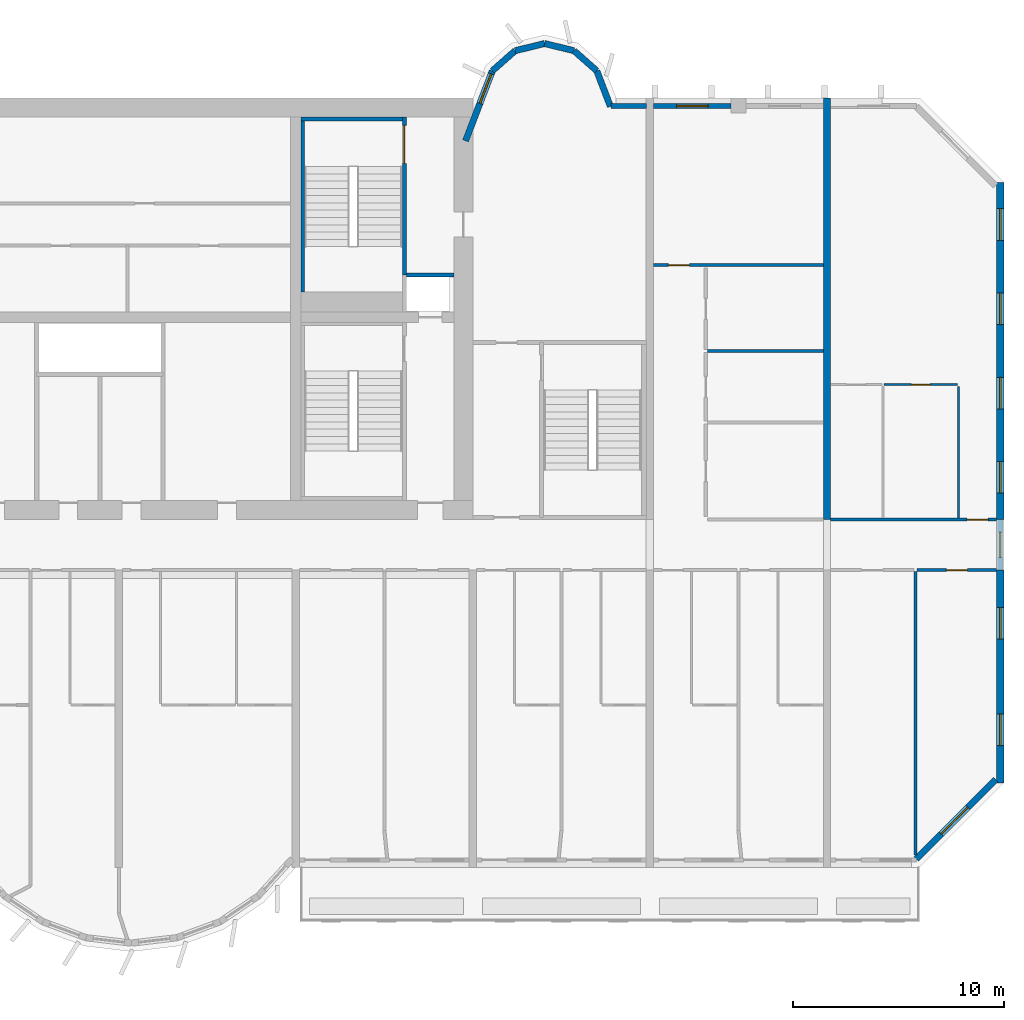
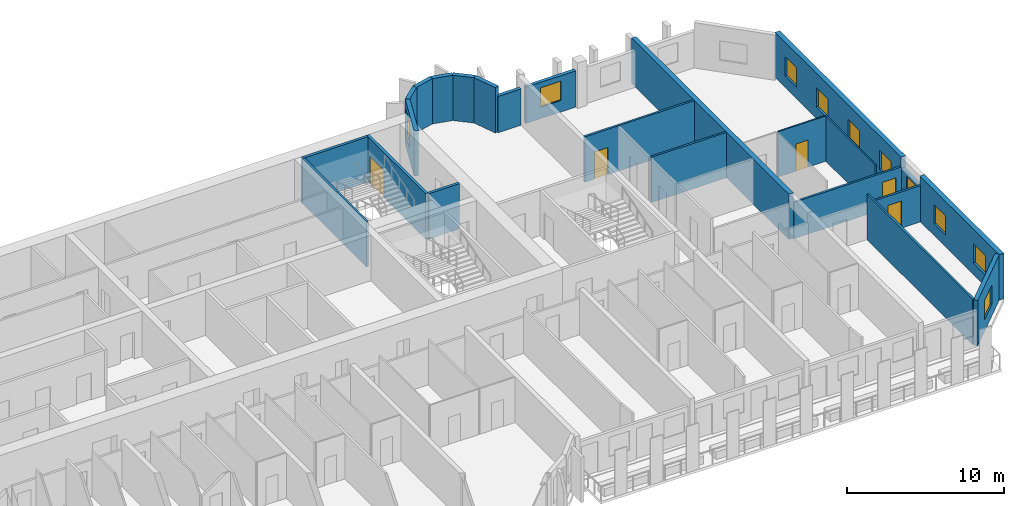
# One storey, part 10 of 14: 24 walls, 10 windows, 5 doors, 15 openings.
"""IFC4 building model written with IfcOpenShell, lengths in metres."""

from ifc_helpers import new_model, si_unit, direction, frame, frame_2d, origin, place, context, subcontext, project, spatial, rectangle, extrude, source, transform, mapped, material, layer, layer_set, type_object, element, fill, save


model = new_model("IFC4")

# Units and contexts
model_context = context("Model", 3, precision=1e-05, world=origin(), true_north=direction((0.0, 1.0)))
body_context = subcontext(model_context, "Body", "Model", "MODEL_VIEW")
ifc_project = project(units=[si_unit("LENGTHUNIT", "METRE"), si_unit("AREAUNIT", "SQUARE_METRE"), si_unit("VOLUMEUNIT", "CUBIC_METRE"), si_unit("PLANEANGLEUNIT", "RADIAN"), si_unit("MASSUNIT", "GRAM", prefix="KILO")], contexts=[model_context])

# Site, building, storey
site_placement = place(None, origin())
site = spatial("IfcSite", under=ifc_project, at=site_placement, CompositionType="ELEMENT")
building_placement = place(site_placement, origin())
building = spatial("IfcBuilding", under=site, at=building_placement, Name="Vanashikhar Sky Hotel", CompositionType="ELEMENT")
storey_placement = place(building_placement, frame((0.0, 0.0, 125.60009765625)))
storey = spatial("IfcBuildingStorey", under=building, at=storey_placement, Name="L30", CompositionType="ELEMENT", Elevation=125.60009765625)

# Wall, openings, windows
ifc_material_1 = material(Name="Concrete M70", Category="concrete")
ifc_layer_1 = layer(ifc_material_1, 0.35009765625)
ifc_layer_set_1 = layer_set([ifc_layer_1], Name="RC shear wall 350 Concrete M70")
wall_type_1 = type_object("IfcWallType", Name="RC shear wall 350 Concrete M70", PredefinedType="SHEAR", material=ifc_layer_set_1)
shared_shape_1 = source(origin(), body_context, "Body", "SweptSolid", [
    extrude(rectangle(XDim=10.10009765625, YDim=0.35009765625, at=frame_2d((5.050048828125, 0.0))), origin(), (0.0, 0.0, 1.0), 3.52001953125),
])
wall_1_placement = place(storey_placement, frame((100.625, 9.5, 0.0), z_axis=(0.0, 0.0, 1.0), x_axis=(0.0, 1.0, 0.0)))
wall_1 = element("IfcWall", 1, at=wall_1_placement, inside=storey, type_object=wall_type_1, Name="CW-L30-XW13-1", PredefinedType="SHEAR", context=body_context, shape_type="MappedRepresentation", body=[
    mapped(shared_shape_1, transform((0.0, 0.0, 0.0), scale=1.0)),
])
shared_shape_2 = source(origin(), body_context, "Body", "SweptSolid", [
    extrude(rectangle(XDim=1.5, YDim=1.5, at=frame_2d((0.75, 0.75))), frame((0.0, 0.18505859375, 0.0), z_axis=(0.0, -1.0, 0.0), x_axis=(1.0, 0.0, 0.0)), (0.0, 0.0, 1.0), 0.3701171875),
])
opening_1_placement = place(wall_1_placement, frame((1.77490234375, 0.0, 0.89990234375)))
opening_1 = element("IfcOpeningElement", 2, at=opening_1_placement, cuts=wall_1, Name="Opening WN-1", PredefinedType="OPENING", context=body_context, shape_type="MappedRepresentation", body=[
    mapped(shared_shape_2, transform((0.0, 0.0, 0.0), scale=1.0)),
])
opening_2_placement = place(wall_1_placement, frame((6.824951171875, 0.0, 0.89990234375)))
opening_2 = element("IfcOpeningElement", 3, at=opening_2_placement, cuts=wall_1, Name="Opening WN-1", PredefinedType="OPENING", context=body_context, shape_type="MappedRepresentation", body=[
    mapped(shared_shape_2, transform((0.0, 0.0, 0.0), scale=1.0)),
])
ifc_material_2 = material(Name="Glass", Category="glass")
window_type_1 = type_object("IfcWindowType", Name="Window 1500 x 1500", PartitioningType="SINGLE_PANEL", PredefinedType="WINDOW", material=ifc_material_2)
shared_shape_3 = source(origin(), body_context, "Body", "SweptSolid", [
    extrude(rectangle(XDim=1.5, YDim=1.5, at=frame_2d((0.75, 0.75))), frame((0.0, 0.030029296875, 0.0), z_axis=(0.0, -1.0, 0.0), x_axis=(1.0, 0.0, 0.0)), (0.0, 0.0, 1.0), 0.06005859375),
])
window_1_placement = place(opening_1_placement, origin())
window_1 = element("IfcWindow", 4, at=window_1_placement, inside=storey, type_object=window_type_1, Name="Window WN-1", OverallHeight=1.5, OverallWidth=1.5, PartitioningType="SINGLE_PANEL", PredefinedType="WINDOW", context=body_context, shape_type="MappedRepresentation", body=[
    mapped(shared_shape_3, transform((0.0, 0.0, 0.0), scale=1.0)),
])
fill(opening_1, window_1)
window_2_placement = place(opening_2_placement, origin())
window_2 = element("IfcWindow", 5, at=window_2_placement, inside=storey, type_object=window_type_1, Name="Window WN-1", OverallHeight=1.5, OverallWidth=1.5, PartitioningType="SINGLE_PANEL", PredefinedType="WINDOW", context=body_context, shape_type="MappedRepresentation", body=[
    mapped(shared_shape_3, transform((0.0, 0.0, 0.0), scale=1.0)),
])
fill(opening_2, window_2)

shared_shape_4 = source(origin(), body_context, "Body", "SweptSolid", [
    extrude(rectangle(XDim=16.0, YDim=0.35009765625, at=frame_2d((8.0, 0.0))), origin(), (0.0, 0.0, 1.0), 3.52001953125),
])
wall_2_placement = place(storey_placement, frame((100.625, 22.0, 0.0), z_axis=(0.0, 0.0, 1.0), x_axis=(0.0, 1.0, 0.0)))
wall_2 = element("IfcWall", 6, at=wall_2_placement, inside=storey, type_object=wall_type_1, Name="CW-L30-XW13-2", PredefinedType="SHEAR", context=body_context, shape_type="MappedRepresentation", body=[
    mapped(shared_shape_4, transform((0.0, 0.0, 0.0), scale=1.0)),
])
opening_3_placement = place(wall_2_placement, frame((1.25, 0.0, 0.89990234375)))
opening_3 = element("IfcOpeningElement", 7, at=opening_3_placement, cuts=wall_2, Name="Opening WN-1", PredefinedType="OPENING", context=body_context, shape_type="MappedRepresentation", body=[
    mapped(shared_shape_2, transform((0.0, 0.0, 0.0), scale=1.0)),
])
opening_4_placement = place(wall_2_placement, frame((5.25, 0.0, 0.89990234375)))
opening_4 = element("IfcOpeningElement", 8, at=opening_4_placement, cuts=wall_2, Name="Opening WN-1", PredefinedType="OPENING", context=body_context, shape_type="MappedRepresentation", body=[
    mapped(shared_shape_2, transform((0.0, 0.0, 0.0), scale=1.0)),
])
opening_5_placement = place(wall_2_placement, frame((9.25, 0.0, 0.89990234375)))
opening_5 = element("IfcOpeningElement", 9, at=opening_5_placement, cuts=wall_2, Name="Opening WN-1", PredefinedType="OPENING", context=body_context, shape_type="MappedRepresentation", body=[
    mapped(shared_shape_2, transform((0.0, 0.0, 0.0), scale=1.0)),
])
opening_6_placement = place(wall_2_placement, frame((13.25, 0.0, 0.89990234375)))
opening_6 = element("IfcOpeningElement", 10, at=opening_6_placement, cuts=wall_2, Name="Opening WN-1", PredefinedType="OPENING", context=body_context, shape_type="MappedRepresentation", body=[
    mapped(shared_shape_2, transform((0.0, 0.0, 0.0), scale=1.0)),
])
window_3_placement = place(opening_3_placement, origin())
window_3 = element("IfcWindow", 11, at=window_3_placement, inside=storey, type_object=window_type_1, Name="Window WN-1", OverallHeight=1.5, OverallWidth=1.5, PartitioningType="SINGLE_PANEL", PredefinedType="WINDOW", context=body_context, shape_type="MappedRepresentation", body=[
    mapped(shared_shape_3, transform((0.0, 0.0, 0.0), scale=1.0)),
])
fill(opening_3, window_3)
window_4_placement = place(opening_4_placement, origin())
window_4 = element("IfcWindow", 12, at=window_4_placement, inside=storey, type_object=window_type_1, Name="Window WN-1", OverallHeight=1.5, OverallWidth=1.5, PartitioningType="SINGLE_PANEL", PredefinedType="WINDOW", context=body_context, shape_type="MappedRepresentation", body=[
    mapped(shared_shape_3, transform((0.0, 0.0, 0.0), scale=1.0)),
])
fill(opening_4, window_4)
window_5_placement = place(opening_5_placement, origin())
window_5 = element("IfcWindow", 13, at=window_5_placement, inside=storey, type_object=window_type_1, Name="Window WN-1", OverallHeight=1.5, OverallWidth=1.5, PartitioningType="SINGLE_PANEL", PredefinedType="WINDOW", context=body_context, shape_type="MappedRepresentation", body=[
    mapped(shared_shape_3, transform((0.0, 0.0, 0.0), scale=1.0)),
])
fill(opening_5, window_5)
window_6_placement = place(opening_6_placement, origin())
window_6 = element("IfcWindow", 14, at=window_6_placement, inside=storey, type_object=window_type_1, Name="Window WN-1", OverallHeight=1.5, OverallWidth=1.5, PartitioningType="SINGLE_PANEL", PredefinedType="WINDOW", context=body_context, shape_type="MappedRepresentation", body=[
    mapped(shared_shape_3, transform((0.0, 0.0, 0.0), scale=1.0)),
])
fill(opening_6, window_6)

# Wall
shared_shape_5 = source(origin(), body_context, "Body", "SweptSolid", [
    extrude(rectangle(XDim=20.0, YDim=0.35009765625, at=frame_2d((10.0, 0.0))), origin(), (0.0, 0.0, 1.0), 3.52001953125),
])
wall_3_placement = place(storey_placement, frame((92.39990234375, 22.0, 0.0), z_axis=(0.0, 0.0, 1.0), x_axis=(0.0, 1.0, 0.0)))
element("IfcWall", 15, at=wall_3_placement, inside=storey, type_object=wall_type_1, Name="CW-L30-XW12-2", PredefinedType="SHEAR", context=body_context, shape_type="MappedRepresentation", body=[
    mapped(shared_shape_5, transform((0.0, 0.0, 0.0), scale=1.0)),
])

# Wall, opening, window
ifc_material_3 = material(Name="Concrete M50", Category="concrete")
ifc_layer_2 = layer(ifc_material_3, 0.300048828125)
ifc_layer_set_2 = layer_set([ifc_layer_2], Name="Lobe wall 300")
wall_type_2 = type_object("IfcWallType", Name="Lobe wall 300", PredefinedType="SOLIDWALL", material=ifc_layer_set_2)
shared_shape_6 = source(origin(), body_context, "Body", "SweptSolid", [
    extrude(rectangle(XDim=5.32568359375, YDim=0.300048828125, at=frame_2d((2.662841796875, 0.0))), origin(), (0.0, 0.0, 1.0), 3.52001953125),
])
wall_4_placement = place(storey_placement, frame((96.63427734375, 5.89990234375, 0.0), z_axis=(0.0, 0.0, 1.0), x_axis=(0.707083859269, 0.707129702361, 0.0)))
wall_4 = element("IfcWall", 16, at=wall_4_placement, inside=storey, type_object=wall_type_2, Name="Corner wall", PredefinedType="SOLIDWALL", context=body_context, shape_type="MappedRepresentation", body=[
    mapped(shared_shape_6, transform((0.0, 0.0, 0.0), scale=1.0)),
])
shared_shape_7 = source(origin(), body_context, "Body", "SweptSolid", [
    extrude(rectangle(XDim=1.800048828125, YDim=1.5, at=frame_2d((0.89990234375, 0.75))), frame((0.0, 0.16015625, 0.0), z_axis=(0.0, -1.0, 0.0), x_axis=(1.0, 0.0, 0.0)), (0.0, 0.0, 1.0), 0.320068359375),
])
opening_7_placement = place(wall_4_placement, frame((1.671875, 0.0, 0.89990234375)))
opening_7 = element("IfcOpeningElement", 17, at=opening_7_placement, cuts=wall_4, Name="Opening WN-4", PredefinedType="OPENING", context=body_context, shape_type="MappedRepresentation", body=[
    mapped(shared_shape_7, transform((0.0, 0.0, 0.0), scale=1.0)),
])
window_type_2 = type_object("IfcWindowType", Name="Corner window 1800 x 1500", PartitioningType="SINGLE_PANEL", PredefinedType="WINDOW", material=ifc_material_2)
shared_shape_8 = source(origin(), body_context, "Body", "SweptSolid", [
    extrude(rectangle(XDim=1.800048828125, YDim=1.5, at=frame_2d((0.89990234375, 0.75))), frame((0.0, 0.030029296875, 0.0), z_axis=(0.0, -1.0, 0.0), x_axis=(1.0, 0.0, 0.0)), (0.0, 0.0, 1.0), 0.06005859375),
])
window_7_placement = place(opening_7_placement, origin())
window_7 = element("IfcWindow", 18, at=window_7_placement, inside=storey, type_object=window_type_2, Name="Window WN-4", OverallHeight=1.5, OverallWidth=1.800048828125, PartitioningType="SINGLE_PANEL", PredefinedType="WINDOW", context=body_context, shape_type="MappedRepresentation", body=[
    mapped(shared_shape_8, transform((0.0, 0.0, 0.0), scale=1.0)),
])
fill(opening_7, window_7)

shared_shape_9 = source(origin(), body_context, "Body", "SweptSolid", [
    extrude(rectangle(XDim=3.55908203125, YDim=0.300048828125, at=frame_2d((1.779541015625, 0.0))), origin(), (0.0, 0.0, 1.0), 3.52001953125),
])
wall_5_placement = place(storey_placement, frame((76.5234375, 43.2919921875, 0.0), z_axis=(0.0, 0.0, 1.0), x_axis=(-0.35779745313, -0.933799219604, 0.0)))
wall_5 = element("IfcWall", 19, at=wall_5_placement, inside=storey, type_object=wall_type_2, Name="Lobe wall", PredefinedType="SOLIDWALL", context=body_context, shape_type="MappedRepresentation", body=[
    mapped(shared_shape_9, transform((0.0, 0.0, 0.0), scale=1.0)),
])
shared_shape_10 = source(origin(), body_context, "Body", "SweptSolid", [
    extrude(rectangle(XDim=1.5, YDim=2.0, at=frame_2d((0.75, 1.0))), frame((0.0, 0.16015625, 0.0), z_axis=(0.0, -1.0, 0.0), x_axis=(1.0, 0.0, 0.0)), (0.0, 0.0, 1.0), 0.320068359375),
])
opening_8_placement = place(wall_5_placement, frame((0.156005859375, 0.0, 0.89990234375)))
opening_8 = element("IfcOpeningElement", 20, at=opening_8_placement, cuts=wall_5, Name="Opening WN-2", PredefinedType="OPENING", context=body_context, shape_type="MappedRepresentation", body=[
    mapped(shared_shape_10, transform((0.0, 0.0, 0.0), scale=1.0)),
])
window_type_3 = type_object("IfcWindowType", Name="Lobe window 1500 x 2000", PartitioningType="SINGLE_PANEL", PredefinedType="WINDOW", material=ifc_material_2)
shared_shape_11 = source(origin(), body_context, "Body", "SweptSolid", [
    extrude(rectangle(XDim=1.5, YDim=2.0, at=frame_2d((0.75, 1.0))), frame((0.0, 0.030029296875, 0.0), z_axis=(0.0, -1.0, 0.0), x_axis=(1.0, 0.0, 0.0)), (0.0, 0.0, 1.0), 0.06005859375),
])
window_8_placement = place(opening_8_placement, origin())
window_8 = element("IfcWindow", 21, at=window_8_placement, inside=storey, type_object=window_type_3, Name="Window WN-2", OverallHeight=2.0, OverallWidth=1.5, PartitioningType="SINGLE_PANEL", PredefinedType="WINDOW", context=body_context, shape_type="MappedRepresentation", body=[
    mapped(shared_shape_11, transform((0.0, 0.0, 0.0), scale=1.0)),
])
fill(opening_8, window_8)

# Walls
shared_shape_12 = source(origin(), body_context, "Body", "SweptSolid", [
    extrude(rectangle(XDim=1.438720703125, YDim=0.300048828125, at=frame_2d((0.71923828125, 0.0))), origin(), (0.0, 0.0, 1.0), 3.52001953125),
])
for number, where, z_axis, x_axis, name in (
    (22, (80.397216796875, 44.2451171875, 0.0), (0.0, 0.0, 1.0), (-0.971161932466, 0.238420848351, 0.0), "Lobe wall"),
    (23, (79.0, 44.588134765625, 0.0), (0.0, 0.0, 1.0), (-0.971161932466, -0.238420848351, 0.0), "Lobe wall"),
):
    element("IfcWall", number, at=place(storey_placement, frame(where, z_axis=z_axis, x_axis=x_axis)), inside=storey, type_object=wall_type_2, Name=name, PredefinedType="SOLIDWALL", context=body_context, shape_type="MappedRepresentation", body=[
        mapped(shared_shape_12, transform((0.0, 0.0, 0.0), scale=1.0)),
    ])
shared_shape_13 = source(origin(), body_context, "Body", "SweptSolid", [
    extrude(rectangle(XDim=1.43994140625, YDim=0.300048828125, at=frame_2d((0.719970703125, 0.0))), origin(), (0.0, 0.0, 1.0), 3.52001953125),
])
for number, where, z_axis, x_axis, name in (
    (24, (81.4765625, 43.2919921875, 0.0), (0.0, 0.0, 1.0), (-0.74957555648, 0.661918790432, 0.0), "Lobe wall"),
    (25, (77.602783203125, 44.2451171875, 0.0), (0.0, 0.0, 1.0), (-0.74957555648, -0.661918790432, 0.0), "Lobe wall"),
):
    element("IfcWall", number, at=place(storey_placement, frame(where, z_axis=z_axis, x_axis=x_axis)), inside=storey, type_object=wall_type_2, Name=name, PredefinedType="SOLIDWALL", context=body_context, shape_type="MappedRepresentation", body=[
        mapped(shared_shape_13, transform((0.0, 0.0, 0.0), scale=1.0)),
    ])
shared_shape_14 = source(origin(), body_context, "Body", "SweptSolid", [
    extrude(rectangle(XDim=1.81201171875, YDim=0.300048828125, at=frame_2d((0.906005859375, 0.0))), origin(), (0.0, 0.0, 1.0), 3.52001953125),
])
wall_6_placement = place(storey_placement, frame((82.125, 41.60009765625, 0.0), z_axis=(0.0, 0.0, 1.0), x_axis=(-0.357877270961, 0.93376863244, 0.0)))
element("IfcWall", 26, at=wall_6_placement, inside=storey, type_object=wall_type_2, Name="Lobe wall", PredefinedType="SOLIDWALL", context=body_context, shape_type="MappedRepresentation", body=[
    mapped(shared_shape_14, transform((0.0, 0.0, 0.0), scale=1.0)),
])

# Wall, opening, window
ifc_layer_3 = layer(ifc_material_3, 0.25)
ifc_layer_set_3 = layer_set([ifc_layer_3], Name="Rear and end board-marked wall 250")
wall_type_3 = type_object("IfcWallType", Name="Rear and end board-marked wall 250", PredefinedType="SOLIDWALL", material=ifc_layer_set_3)
shared_shape_15 = source(origin(), body_context, "Body", "SweptSolid", [
    extrude(rectangle(XDim=2.39990234375, YDim=0.25, at=frame_2d((1.199951171875, 0.0))), origin(), (0.0, 0.0, 1.0), 2.619873046875),
])
wall_7_placement = place(storey_placement, frame((100.625, 19.60009765625, 0.0), z_axis=(0.0, 0.0, 1.0), x_axis=(0.0, 1.0, 0.0)))
wall_7 = element("IfcWall", 27, at=wall_7_placement, inside=storey, type_object=wall_type_3, Name="End corridor infill wall", PredefinedType="SOLIDWALL", context=body_context, shape_type="MappedRepresentation", body=[
    mapped(shared_shape_15, transform((0.0, 0.0, 0.0), scale=1.0)),
])
shared_shape_16 = source(origin(), body_context, "Body", "SweptSolid", [
    extrude(rectangle(XDim=1.199951171875, YDim=1.5, at=frame_2d((0.60009765625, 0.75))), frame((0.0, 0.135009765625, 0.0), z_axis=(0.0, -1.0, 0.0), x_axis=(1.0, 0.0, 0.0)), (0.0, 0.0, 1.0), 0.27001953125),
])
opening_9_placement = place(wall_7_placement, frame((0.60009765625, 0.0, 0.89990234375)))
opening_9 = element("IfcOpeningElement", 28, at=opening_9_placement, cuts=wall_7, Name="Opening WN-3", PredefinedType="OPENING", context=body_context, shape_type="MappedRepresentation", body=[
    mapped(shared_shape_16, transform((0.0, 0.0, 0.0), scale=1.0)),
])
window_type_4 = type_object("IfcWindowType", Name="Corridor end window 1200 x 1500", PartitioningType="SINGLE_PANEL", PredefinedType="WINDOW", material=ifc_material_2)
shared_shape_17 = source(origin(), body_context, "Body", "SweptSolid", [
    extrude(rectangle(XDim=1.199951171875, YDim=1.5, at=frame_2d((0.60009765625, 0.75))), frame((0.0, 0.030029296875, 0.0), z_axis=(0.0, -1.0, 0.0), x_axis=(1.0, 0.0, 0.0)), (0.0, 0.0, 1.0), 0.06005859375),
])
window_9_placement = place(opening_9_placement, origin())
window_9 = element("IfcWindow", 29, at=window_9_placement, inside=storey, type_object=window_type_4, Name="Window WN-3", OverallHeight=1.5, OverallWidth=1.199951171875, PartitioningType="SINGLE_PANEL", PredefinedType="WINDOW", context=body_context, shape_type="MappedRepresentation", body=[
    mapped(shared_shape_17, transform((0.0, 0.0, 0.0), scale=1.0)),
])
fill(opening_9, window_9)

shared_shape_18 = source(origin(), body_context, "Body", "SweptSolid", [
    extrude(rectangle(XDim=3.675048828125, YDim=0.25, at=frame_2d((1.83740234375, 0.0))), origin(), (0.0, 0.0, 1.0), 2.81982421875),
])
wall_8_placement = place(storey_placement, frame((87.85009765625, 41.625, 0.0), z_axis=(0.0, 0.0, 1.0), x_axis=(-1.0, 0.0, 0.0)))
wall_8 = element("IfcWall", 30, at=wall_8_placement, inside=storey, type_object=wall_type_3, Name="Rear board-marked wall", PredefinedType="SOLIDWALL", context=body_context, shape_type="MappedRepresentation", body=[
    mapped(shared_shape_18, transform((0.0, 0.0, 0.0), scale=1.0)),
])
shared_shape_19 = source(origin(), body_context, "Body", "SweptSolid", [
    extrude(rectangle(XDim=1.5, YDim=1.5, at=frame_2d((0.75, 0.75))), frame((0.0, 0.135009765625, 0.0), z_axis=(0.0, -1.0, 0.0), x_axis=(1.0, 0.0, 0.0)), (0.0, 0.0, 1.0), 0.27001953125),
])
opening_10_placement = place(wall_8_placement, frame((1.08740234375, 0.0, 0.89990234375)))
opening_10 = element("IfcOpeningElement", 31, at=opening_10_placement, cuts=wall_8, Name="Opening WN-1", PredefinedType="OPENING", context=body_context, shape_type="MappedRepresentation", body=[
    mapped(shared_shape_19, transform((0.0, 0.0, 0.0), scale=1.0)),
])
window_10_placement = place(opening_10_placement, origin())
window_10 = element("IfcWindow", 32, at=window_10_placement, inside=storey, type_object=window_type_1, Name="Window WN-1", OverallHeight=1.5, OverallWidth=1.5, PartitioningType="SINGLE_PANEL", PredefinedType="WINDOW", context=body_context, shape_type="MappedRepresentation", body=[
    mapped(shared_shape_3, transform((0.0, 0.0, 0.0), scale=1.0)),
])
fill(opening_10, window_10)

# Wall
shared_shape_20 = source(origin(), body_context, "Body", "SweptSolid", [
    extrude(rectangle(XDim=1.682861328125, YDim=0.25, at=frame_2d((0.84130859375, 0.0))), origin(), (0.0, 0.0, 1.0), 2.81982421875),
])
wall_9_placement = place(storey_placement, frame((83.824951171875, 41.625, 0.0), z_axis=(0.0, 0.0, 1.0), x_axis=(-1.0, 0.0, 0.0)))
element("IfcWall", 33, at=wall_9_placement, inside=storey, type_object=wall_type_3, Name="Rear board-marked wall", PredefinedType="SOLIDWALL", context=body_context, shape_type="MappedRepresentation", body=[
    mapped(shared_shape_20, transform((0.0, 0.0, 0.0), scale=1.0)),
])

# Wall, opening, door
ifc_layer_4 = layer(ifc_material_3, 0.199951171875)
ifc_layer_set_4 = layer_set([ifc_layer_4], Name="Stair wall 200")
wall_type_4 = type_object("IfcWallType", Name="Stair wall 200", PredefinedType="SOLIDWALL", material=ifc_layer_set_4)
shared_shape_21 = source(origin(), body_context, "Body", "SweptSolid", [
    extrude(rectangle(XDim=7.5, YDim=0.199951171875, at=frame_2d((3.75, 0.0))), origin(), (0.0, 0.0, 1.0), 3.52001953125),
])
wall_10_placement = place(storey_placement, frame((72.35009765625, 33.60009765625, 0.0), z_axis=(0.0, 0.0, 1.0), x_axis=(0.0, 1.0, 0.0)))
wall_10 = element("IfcWall", 34, at=wall_10_placement, inside=storey, type_object=wall_type_4, Name="Stair wall 200", PredefinedType="SOLIDWALL", context=body_context, shape_type="MappedRepresentation", body=[
    mapped(shared_shape_21, transform((0.0, 0.0, 0.0), scale=1.0)),
])
shared_shape_22 = source(origin(), body_context, "Body", "SweptSolid", [
    extrude(rectangle(XDim=1.800048828125, YDim=2.10009765625, at=frame_2d((0.89990234375, 1.050048828125))), frame((0.0, 0.10986328125, 0.0), z_axis=(0.0, -1.0, 0.0), x_axis=(1.0, 0.0, 0.0)), (0.0, 0.0, 1.0), 0.219970703125),
])
opening_11_placement = place(wall_10_placement, frame((5.300048828125, 0.0, 0.0)))
opening_11 = element("IfcOpeningElement", 35, at=opening_11_placement, cuts=wall_10, Name="Opening DC-1-A", PredefinedType="OPENING", context=body_context, shape_type="MappedRepresentation", body=[
    mapped(shared_shape_22, transform((0.0, 0.0, 0.0), scale=1.0)),
])
ifc_material_4 = material(Name="Steel", Category="steel")
door_type_1 = type_object("IfcDoorType", Name="Stair door 1800 FD120", OperationType="NOTDEFINED", PredefinedType="DOOR", material=ifc_material_4)
shared_shape_23 = source(origin(), body_context, "Body", "SweptSolid", [
    extrude(rectangle(XDim=1.800048828125, YDim=2.10009765625, at=frame_2d((0.89990234375, 1.050048828125))), frame((0.0, 0.02490234375, 0.0), z_axis=(0.0, -1.0, 0.0), x_axis=(1.0, 0.0, 0.0)), (0.0, 0.0, 1.0), 0.050048828125),
])
door_1_placement = place(opening_11_placement, origin())
door_1 = element("IfcDoor", 36, at=door_1_placement, inside=storey, type_object=door_type_1, Name="Stair door 1800 FD120", OperationType="SINGLE_SWING_RIGHT", OverallHeight=2.10009765625, OverallWidth=1.800048828125, PredefinedType="DOOR", context=body_context, shape_type="MappedRepresentation", body=[
    mapped(shared_shape_23, transform((0.0, 0.0, 0.0), scale=1.0)),
])
fill(opening_11, door_1)

# Walls
ifc_material_5 = material(Name="Concrete M40", Category="concrete")
ifc_layer_5 = layer(ifc_material_5, 0.199951171875)
ifc_layer_set_5 = layer_set([ifc_layer_5], Name="Shaft wall 200")
wall_type_5 = type_object("IfcWallType", Name="Shaft wall 200", PredefinedType="SOLIDWALL", material=ifc_layer_set_5)
shared_shape_24 = source(origin(), body_context, "Body", "SweptSolid", [
    extrude(rectangle(XDim=2.25, YDim=0.199951171875, at=frame_2d((1.125, 0.0))), origin(), (0.0, 0.0, 1.0), 3.52001953125),
])
wall_11_placement = place(storey_placement, frame((72.449951171875, 33.60009765625, 0.0), z_axis=(0.0, 0.0, 1.0), x_axis=(1.0, 0.0, 0.0)))
element("IfcWall", 37, at=wall_11_placement, inside=storey, type_object=wall_type_5, Name="Shaft wall 200", PredefinedType="SOLIDWALL", context=body_context, shape_type="MappedRepresentation", body=[
    mapped(shared_shape_24, transform((0.0, 0.0, 0.0), scale=1.0)),
])
ifc_layer_6 = layer(ifc_material_3, 0.199951171875)
ifc_layer_set_6 = layer_set([ifc_layer_6], Name="Stair infill wall 200")
wall_type_6 = type_object("IfcWallType", Name="Stair infill wall 200", PredefinedType="SOLIDWALL", material=ifc_layer_set_6)
shared_shape_25 = source(origin(), body_context, "Body", "SweptSolid", [
    extrude(rectangle(XDim=4.800048828125, YDim=0.199951171875, at=frame_2d((2.39990234375, 0.0))), origin(), (0.0, 0.0, 1.0), 3.52001953125),
])
wall_12_placement = place(storey_placement, frame((67.449951171875, 41.0, 0.0), z_axis=(0.0, 0.0, 1.0), x_axis=(1.0, 0.0, 0.0)))
element("IfcWall", 38, at=wall_12_placement, inside=storey, type_object=wall_type_6, Name="Stair infill wall 200", PredefinedType="SOLIDWALL", context=body_context, shape_type="MappedRepresentation", body=[
    mapped(shared_shape_25, transform((0.0, 0.0, 0.0), scale=1.0)),
])
ifc_layer_7 = layer(ifc_material_3, 0.14990234375)
ifc_layer_set_7 = layer_set([ifc_layer_7], Name="Stair infill wall 150")
wall_type_7 = type_object("IfcWallType", Name="Stair infill wall 150", PredefinedType="SOLIDWALL", material=ifc_layer_set_7)
shared_shape_26 = source(origin(), body_context, "Body", "SweptSolid", [
    extrude(rectangle(XDim=8.099853515625, YDim=0.14990234375, at=frame_2d((4.0498046875, 0.0))), origin(), (0.0, 0.0, 1.0), 3.52001953125),
])
wall_13_placement = place(storey_placement, frame((67.52490234375, 32.800048828125, 0.0), z_axis=(0.0, 0.0, 1.0), x_axis=(0.0, 1.0, 0.0)))
element("IfcWall", 39, at=wall_13_placement, inside=storey, type_object=wall_type_7, Name="Stair infill wall 150", PredefinedType="SOLIDWALL", context=body_context, shape_type="MappedRepresentation", body=[
    mapped(shared_shape_26, transform((0.0, 0.0, 0.0), scale=1.0)),
])

# Wall, opening, door
ifc_material_6 = material(Name="Gypsum plasterboard partition")
ifc_layer_8 = layer(ifc_material_6, 0.10009765625)
ifc_layer_set_8 = layer_set([ifc_layer_8], Name="Wet room partition 100")
wall_type_8 = type_object("IfcWallType", Name="Wet room partition 100", PredefinedType="PARTITIONING", material=ifc_layer_set_8)
shared_shape_27 = source(origin(), body_context, "Body", "SweptSolid", [
    extrude(rectangle(XDim=3.5, YDim=0.10009765625, at=frame_2d((1.75, 0.0))), origin(), (0.0, 0.0, 1.0), 3.52001953125),
])
wall_14_placement = place(storey_placement, frame((95.10009765625, 28.39990234375, 0.0), z_axis=(0.0, 0.0, 1.0), x_axis=(1.0, 0.0, 0.0)))
wall_14 = element("IfcWall", 40, at=wall_14_placement, inside=storey, type_object=wall_type_8, Name="W-L30-PW092", PredefinedType="PARTITIONING", context=body_context, shape_type="MappedRepresentation", body=[
    mapped(shared_shape_27, transform((0.0, 0.0, 0.0), scale=1.0)),
])
shared_shape_28 = source(origin(), body_context, "Body", "SweptSolid", [
    extrude(rectangle(XDim=0.89990234375, YDim=2.10009765625, at=frame_2d((0.449951171875, 1.050048828125))), frame((0.0, 0.06005859375, 0.0), z_axis=(0.0, -1.0, 0.0), x_axis=(1.0, 0.0, 0.0)), (0.0, 0.0, 1.0), 0.1201171875),
])
opening_12_placement = place(wall_14_placement, frame((1.300048828125, 0.0, 0.0)))
opening_12 = element("IfcOpeningElement", 41, at=opening_12_placement, cuts=wall_14, Name="Opening D-02", PredefinedType="OPENING", context=body_context, shape_type="MappedRepresentation", body=[
    mapped(shared_shape_28, transform((0.0, 0.0, 0.0), scale=1.0)),
])
ifc_material_7 = material(Name="Timber door", Category="wood")
door_type_2 = type_object("IfcDoorType", Name="Internal door 900", OperationType="NOTDEFINED", PredefinedType="DOOR", material=ifc_material_7)
shared_shape_29 = source(origin(), body_context, "Body", "SweptSolid", [
    extrude(rectangle(XDim=0.89990234375, YDim=2.10009765625, at=frame_2d((0.449951171875, 1.050048828125))), frame((0.0, 0.02490234375, 0.0), z_axis=(0.0, -1.0, 0.0), x_axis=(1.0, 0.0, 0.0)), (0.0, 0.0, 1.0), 0.050048828125),
])
door_2_placement = place(opening_12_placement, origin())
door_2 = element("IfcDoor", 42, at=door_2_placement, inside=storey, type_object=door_type_2, Name="D-L30-052", OperationType="SINGLE_SWING_RIGHT", OverallHeight=2.10009765625, OverallWidth=0.89990234375, PredefinedType="DOOR", context=body_context, shape_type="MappedRepresentation", body=[
    mapped(shared_shape_29, transform((0.0, 0.0, 0.0), scale=1.0)),
])
fill(opening_12, door_2)

# Walls
shared_shape_30 = source(origin(), body_context, "Body", "SweptSolid", [
    extrude(rectangle(XDim=6.25, YDim=0.10009765625, at=frame_2d((3.125, 0.0))), origin(), (0.0, 0.0, 1.0), 3.52001953125),
])
wall_15_placement = place(storey_placement, frame((98.64990234375, 22.074951171875, 0.0), z_axis=(0.0, 0.0, 1.0), x_axis=(0.0, 1.0, 0.0)))
element("IfcWall", 43, at=wall_15_placement, inside=storey, type_object=wall_type_8, Name="W-L30-PW090", PredefinedType="PARTITIONING", context=body_context, shape_type="MappedRepresentation", body=[
    mapped(shared_shape_30, transform((0.0, 0.0, 0.0), scale=1.0)),
])
ifc_layer_9 = layer(ifc_material_6, 0.14990234375)
ifc_layer_set_9 = layer_set([ifc_layer_9], Name="Corridor and demising partition 150")
wall_type_9 = type_object("IfcWallType", Name="Corridor and demising partition 150", PredefinedType="PARTITIONING", material=ifc_layer_set_9)
shared_shape_31 = source(origin(), body_context, "Body", "SweptSolid", [
    extrude(rectangle(XDim=13.447021484375, YDim=0.14990234375, at=frame_2d((6.7236328125, 0.0))), origin(), (0.0, 0.0, 1.0), 3.52001953125),
])
wall_16_placement = place(storey_placement, frame((96.60009765625, 6.077880859375, 0.0), z_axis=(0.0, 0.0, 1.0), x_axis=(0.0, 1.0, 0.0)))
element("IfcWall", 44, at=wall_16_placement, inside=storey, type_object=wall_type_9, Name="W-L30-PW068", PredefinedType="PARTITIONING", context=body_context, shape_type="MappedRepresentation", body=[
    mapped(shared_shape_31, transform((0.0, 0.0, 0.0), scale=1.0)),
])
shared_shape_32 = source(origin(), body_context, "Body", "SweptSolid", [
    extrude(rectangle(XDim=5.5, YDim=0.14990234375, at=frame_2d((2.75, 0.0))), origin(), (0.0, 0.0, 1.0), 3.52001953125),
])
wall_17_placement = place(storey_placement, frame((86.72509765625, 30.0, 0.0), z_axis=(0.0, 0.0, 1.0), x_axis=(1.0, 0.0, 0.0)))
element("IfcWall", 45, at=wall_17_placement, inside=storey, type_object=wall_type_9, Name="W-L30-PW087", PredefinedType="PARTITIONING", context=body_context, shape_type="MappedRepresentation", body=[
    mapped(shared_shape_32, transform((0.0, 0.0, 0.0), scale=1.0)),
])

# Wall, opening, door
shared_shape_33 = source(origin(), body_context, "Body", "SweptSolid", [
    extrude(rectangle(XDim=8.050048828125, YDim=0.14990234375, at=frame_2d((4.02490234375, 0.0))), origin(), (0.0, 0.0, 1.0), 3.52001953125),
])
wall_18_placement = place(storey_placement, frame((84.175048828125, 34.074951171875, 0.0), z_axis=(0.0, 0.0, 1.0), x_axis=(1.0, 0.0, 0.0)))
wall_18 = element("IfcWall", 46, at=wall_18_placement, inside=storey, type_object=wall_type_9, Name="W-L30-PW089", PredefinedType="PARTITIONING", context=body_context, shape_type="MappedRepresentation", body=[
    mapped(shared_shape_33, transform((0.0, 0.0, 0.0), scale=1.0)),
])
shared_shape_34 = source(origin(), body_context, "Body", "SweptSolid", [
    extrude(rectangle(XDim=1.0, YDim=2.10009765625, at=frame_2d((0.5, 1.050048828125))), frame((0.0, 0.0849609375, 0.0), z_axis=(0.0, -1.0, 0.0), x_axis=(1.0, 0.0, 0.0)), (0.0, 0.0, 1.0), 0.169921875),
])
opening_13_placement = place(wall_18_placement, frame((0.699951171875, 0.0, 0.0)))
opening_13 = element("IfcOpeningElement", 47, at=opening_13_placement, cuts=wall_18, Name="Opening D-01", PredefinedType="OPENING", context=body_context, shape_type="MappedRepresentation", body=[
    mapped(shared_shape_34, transform((0.0, 0.0, 0.0), scale=1.0)),
])
ifc_material_8 = material(Name="Timber fire door", Category="wood")
door_type_3 = type_object("IfcDoorType", Name="Guest entry door 1000 FD30S", OperationType="NOTDEFINED", PredefinedType="DOOR", material=ifc_material_8)
shared_shape_35 = source(origin(), body_context, "Body", "SweptSolid", [
    extrude(rectangle(XDim=1.0, YDim=2.10009765625, at=frame_2d((0.5, 1.050048828125))), frame((0.0, 0.02490234375, 0.0), z_axis=(0.0, -1.0, 0.0), x_axis=(1.0, 0.0, 0.0)), (0.0, 0.0, 1.0), 0.050048828125),
])
door_3_placement = place(opening_13_placement, origin())
door_3 = element("IfcDoor", 48, at=door_3_placement, inside=storey, type_object=door_type_3, Name="D-L30-051", OperationType="SINGLE_SWING_LEFT", OverallHeight=2.10009765625, OverallWidth=1.0, PredefinedType="DOOR", context=body_context, shape_type="MappedRepresentation", body=[
    mapped(shared_shape_35, transform((0.0, 0.0, 0.0), scale=1.0)),
])
fill(opening_13, door_3)

shared_shape_36 = source(origin(), body_context, "Body", "SweptSolid", [
    extrude(rectangle(XDim=3.77490234375, YDim=0.14990234375, at=frame_2d((1.887451171875, 0.0))), origin(), (0.0, 0.0, 1.0), 2.81982421875),
])
wall_19_placement = place(storey_placement, frame((96.675048828125, 19.60009765625, 0.0), z_axis=(0.0, 0.0, 1.0), x_axis=(1.0, 0.0, 0.0)))
wall_19 = element("IfcWall", 49, at=wall_19_placement, inside=storey, type_object=wall_type_9, Name="W-L30-PW067", PredefinedType="PARTITIONING", context=body_context, shape_type="MappedRepresentation", body=[
    mapped(shared_shape_36, transform((0.0, 0.0, 0.0), scale=1.0)),
])
opening_14_placement = place(wall_19_placement, frame((1.387939453125, 0.0, 0.0)))
opening_14 = element("IfcOpeningElement", 50, at=opening_14_placement, cuts=wall_19, Name="Opening D-01", PredefinedType="OPENING", context=body_context, shape_type="MappedRepresentation", body=[
    mapped(shared_shape_34, transform((0.0, 0.0, 0.0), scale=1.0)),
])
door_4_placement = place(opening_14_placement, origin())
door_4 = element("IfcDoor", 51, at=door_4_placement, inside=storey, type_object=door_type_3, Name="D-L30-040", OperationType="SINGLE_SWING_RIGHT", OverallHeight=2.10009765625, OverallWidth=1.0, PredefinedType="DOOR", context=body_context, shape_type="MappedRepresentation", body=[
    mapped(shared_shape_35, transform((0.0, 0.0, 0.0), scale=1.0)),
])
fill(opening_14, door_4)

shared_shape_37 = source(origin(), body_context, "Body", "SweptSolid", [
    extrude(rectangle(XDim=7.875, YDim=0.14990234375, at=frame_2d((3.9375, 0.0))), origin(), (0.0, 0.0, 1.0), 2.81982421875),
])
wall_20_placement = place(storey_placement, frame((92.574951171875, 22.0, 0.0), z_axis=(0.0, 0.0, 1.0), x_axis=(1.0, 0.0, 0.0)))
wall_20 = element("IfcWall", 52, at=wall_20_placement, inside=storey, type_object=wall_type_9, Name="W-L30-PW094", PredefinedType="PARTITIONING", context=body_context, shape_type="MappedRepresentation", body=[
    mapped(shared_shape_37, transform((0.0, 0.0, 0.0), scale=1.0)),
])
opening_15_placement = place(wall_20_placement, frame((6.47509765625, 0.0, 0.0)))
opening_15 = element("IfcOpeningElement", 53, at=opening_15_placement, cuts=wall_20, Name="Opening D-01", PredefinedType="OPENING", context=body_context, shape_type="MappedRepresentation", body=[
    mapped(shared_shape_34, transform((0.0, 0.0, 0.0), scale=1.0)),
])
door_5_placement = place(opening_15_placement, origin())
door_5 = element("IfcDoor", 54, at=door_5_placement, inside=storey, type_object=door_type_3, Name="D-L30-054", OperationType="SINGLE_SWING_RIGHT", OverallHeight=2.10009765625, OverallWidth=1.0, PredefinedType="DOOR", context=body_context, shape_type="MappedRepresentation", body=[
    mapped(shared_shape_35, transform((0.0, 0.0, 0.0), scale=1.0)),
])
fill(opening_15, door_5)

save(model, "model.ifc")
